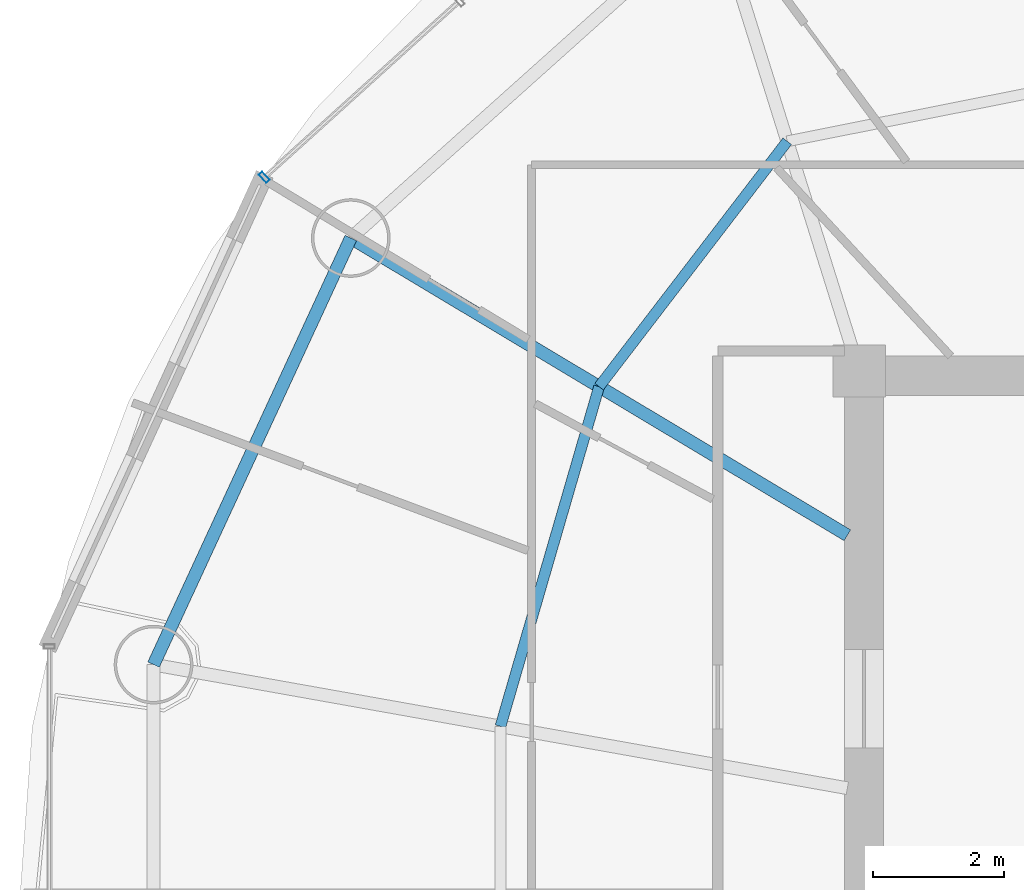
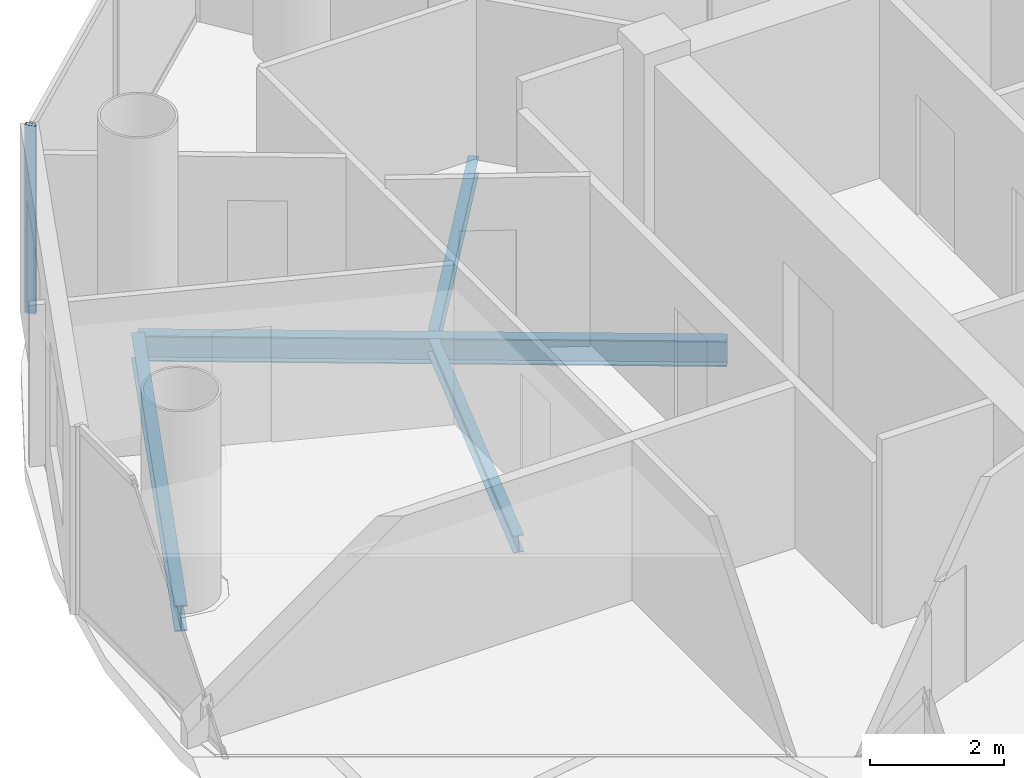
# One storey, part 8 of 26: 4 beams, 1 member, 1 element without a shape of its own.
"""IFC4 building model written with IfcOpenShell, lengths in metres."""

from ifc_helpers import new_model, si_unit, direction, frame, origin, origin_2d, place, context, subcontext, project, spatial, hollow_rectangle, i_section, extrude, source, transform, mapped, material, material_profile, profile_set, type_object, element, aggregate, save


model = new_model("IFC4")

# Units and contexts
model_context = context("Model", 3, precision=1e-05, world=origin(), true_north=direction((-0.2419218956, 0.970295726276)))
body_context = subcontext(model_context, "Body", "Model", "MODEL_VIEW")
ifc_project = project(units=[si_unit("LENGTHUNIT", "METRE"), si_unit("AREAUNIT", "SQUARE_METRE"), si_unit("VOLUMEUNIT", "CUBIC_METRE"), si_unit("PLANEANGLEUNIT", "RADIAN"), si_unit("MASSUNIT", "GRAM", prefix="KILO")], contexts=[model_context])

# Site, building, storey
site_placement = place(None, origin())
site = spatial("IfcSite", under=ifc_project, at=site_placement, CompositionType="ELEMENT")
building_placement = place(site_placement, origin())
building = spatial("IfcBuilding", under=site, at=building_placement, Name="Cobrevalo Terracotta Tower", CompositionType="ELEMENT")
storey_placement = place(building_placement, frame((0.0, 0.0, 220.800048828125)))
storey = spatial("IfcBuildingStorey", under=building, at=storey_placement, Name="L58", CompositionType="ELEMENT", Elevation=220.800048828125)

# Beams
ifc_material_1 = material(Name="Steel S355", Category="steel")
ifc_material_profile_1 = material_profile(ifc_material_1, i_section(OverallWidth=0.194091796875, OverallDepth=0.468994140625, WebThickness=0.011474609375, FlangeThickness=0.0205078125, at=origin_2d()), Name="W 460x106")
ifc_profile_set_1 = profile_set([ifc_material_profile_1], Name="Steel S355")
beam_type_1 = type_object("IfcBeamType", Name="Structural Beam W 460x106 (Steel S355)", PredefinedType="BEAM", material=ifc_profile_set_1)
beam_1_placement = place(storey_placement, frame((21.245849609375, 36.828125, -0.49951171875), z_axis=(0.858046392192, -0.513572184651, 0.0), x_axis=(0.513572184651, 0.858046392192, 0.0)))
element("IfcBeam", 1, at=beam_1_placement, inside=storey, type_object=beam_type_1, Name="L58 radial floor girder 07", PredefinedType="BEAM", context=body_context, shape_type="SweptSolid", body=[
    extrude(i_section(OverallWidth=0.194091796875, OverallDepth=0.468994140625, WebThickness=0.011474609375, FlangeThickness=0.0205078125, at=origin_2d()), origin(), (0.0, 0.0, 1.0), 8.827392578125),
])
ifc_material_profile_2 = material_profile(ifc_material_1, i_section(OverallWidth=0.1650390625, OverallDepth=0.31005859375, WebThickness=0.005859375, FlangeThickness=0.009765625, at=origin_2d()), Name="W 310x38.7")
ifc_profile_set_2 = profile_set([ifc_material_profile_2], Name="Steel S355")
beam_type_2 = type_object("IfcBeamType", Name="Structural Joist W 310x38.7 (Steel S355)", PredefinedType="JOIST", material=ifc_profile_set_2)
beam_2_placement = place(storey_placement, frame((27.902587890625, 38.303955078125, -0.420166015625), z_axis=(-0.608464146296, -0.793581364872, 0.0), x_axis=(0.793581364872, -0.608464146296, 0.0)))
element("IfcBeam", 2, at=beam_2_placement, inside=storey, type_object=beam_type_2, Name="L58 circumferential secondary floor joist 06", PredefinedType="JOIST", context=body_context, shape_type="SweptSolid", body=[
    extrude(i_section(OverallWidth=0.1650390625, OverallDepth=0.31005859375, WebThickness=0.005859375, FlangeThickness=0.009765625, at=origin_2d()), origin(), (0.0, 0.0, 1.0), 4.716064453125),
])
beam_3_placement = place(storey_placement, frame((25.032958984375, 34.561279296875, -0.420166015625), z_axis=(-0.278769817131, -0.960357948401, 0.0), x_axis=(0.960357948401, -0.278769817131, 0.0)))
element("IfcBeam", 3, at=beam_3_placement, inside=storey, type_object=beam_type_2, Name="L58 circumferential secondary floor joist 07", PredefinedType="JOIST", context=body_context, shape_type="SweptSolid", body=[
    extrude(i_section(OverallWidth=0.1650390625, OverallDepth=0.31005859375, WebThickness=0.005859375, FlangeThickness=0.009765625, at=origin_2d()), origin(), (0.0, 0.0, 1.0), 5.396484375),
])
ifc_material_profile_3 = material_profile(ifc_material_1, i_section(OverallWidth=0.194091796875, OverallDepth=0.468994140625, WebThickness=0.011474609375, FlangeThickness=0.0205078125, at=origin_2d()), Name="W 460x106")
ifc_profile_set_3 = profile_set([ifc_material_profile_3], Name="Steel S355")
beam_type_3 = type_object("IfcBeamType", Name="Structural Spandrel W 460x106 (Steel S355)", PredefinedType="SPANDREL", material=ifc_profile_set_3)
beam_4_placement = place(storey_placement, frame((21.245849609375, 36.828125, -0.49951171875), z_axis=(-0.419705965131, -0.907660125176, 0.0), x_axis=(0.907660125176, -0.419705965131, 0.0)))
element("IfcBeam", 4, at=beam_4_placement, inside=storey, type_object=beam_type_3, Name="L58 perimeter ring spandrel 07", PredefinedType="SPANDREL", context=body_context, shape_type="SweptSolid", body=[
    extrude(i_section(OverallWidth=0.194091796875, OverallDepth=0.468994140625, WebThickness=0.011474609375, FlangeThickness=0.0205078125, at=origin_2d()), origin(), (0.0, 0.0, 1.0), 7.168701171875),
])

# Curtain wall, member
ifc_material_2 = material(Name="Anodized aluminium", Category="aluminium")
curtain_wall_type = type_object("IfcCurtainWallType", Name="Mid-tower high-wind unitised curtain wall CW-U2", PredefinedType="NOTDEFINED", material=ifc_material_2)
curtain_wall_placement = place(storey_placement, origin())
curtain_wall = element("IfcCurtainWall", 5, at=curtain_wall_placement, inside=storey, type_object=curtain_wall_type, Name="L58 curtain wall CW-L58-S06", PredefinedType="NOTDEFINED")
ifc_material_profile_4 = material_profile(ifc_material_2, hollow_rectangle(XDim=0.070068359375, YDim=0.169921875, WallThickness=0.00439453125, at=origin_2d()), Name="CWM 70x170")
ifc_profile_set_4 = profile_set([ifc_material_profile_4], Name="Anodized aluminium")
member_type = type_object("IfcMemberType", Name="Upper tower unitised mullion 70x170", PredefinedType="MULLION", material=ifc_profile_set_4)
shared_shape = source(origin(), body_context, "Body", "SweptSolid", [
    extrude(hollow_rectangle(XDim=0.070068359375, YDim=0.169921875, WallThickness=0.00439453125, at=origin_2d()), origin(), (0.0, 0.0, 1.0), 3.43505859375),
])
member_placement = place(storey_placement, frame((19.928466796875, 37.7548828125, 0.0), z_axis=(0.0, 0.0, 1.0), x_axis=(-0.741987542015, -0.670413668935, 0.0)))
member = element("IfcMember", 6, at=member_placement, type_object=member_type, Name="CW-L58-S06 vertical mullion 03", PredefinedType="MULLION", context=body_context, shape_type="MappedRepresentation", body=[
    mapped(shared_shape, transform((0.0, 0.0, 0.0), scale=1.0)),
])
aggregate(curtain_wall, [member])

save(model, "model.ifc")
